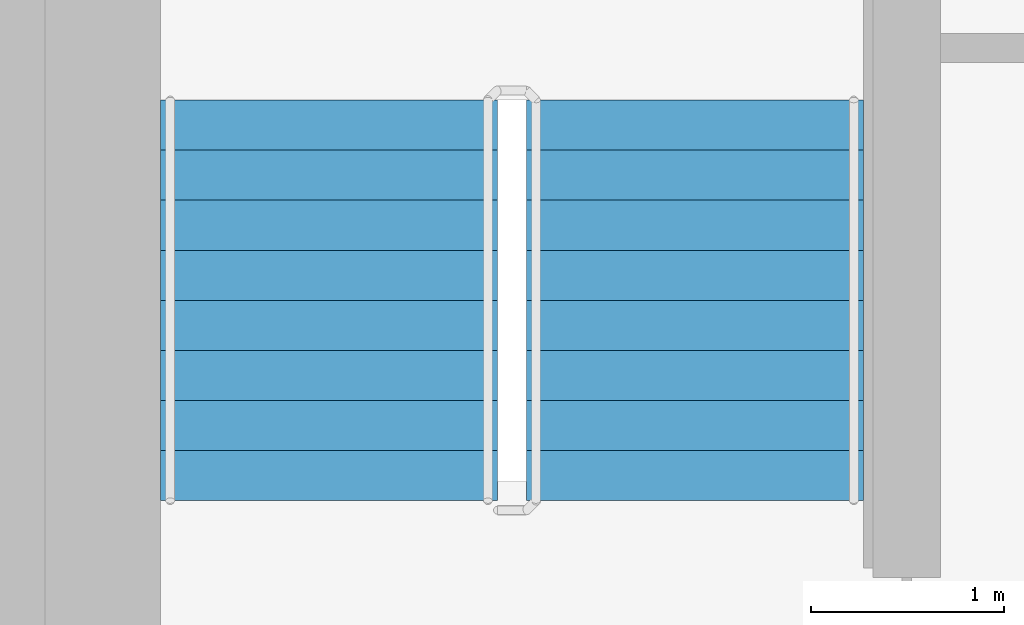
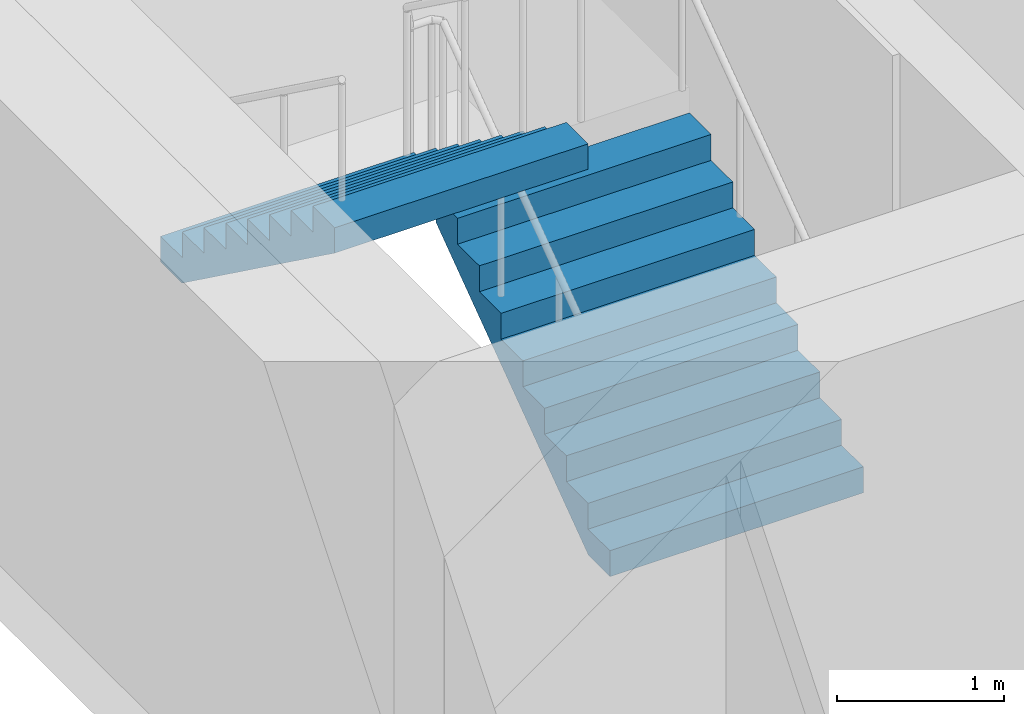
# One storey, part 15 of 18: 2 stair flights, 1 element without a shape of its own.
"""IFC4 building model written with IfcOpenShell, lengths in metres."""

from ifc_helpers import new_model, si_unit, direction, frame, origin, place, context, subcontext, project, spatial, faceted_brep, material, type_object, element, aggregate, save


model = new_model("IFC4")

# Units and contexts
model_context = context("Model", 3, precision=1e-05, world=origin(), true_north=direction((0.0, 1.0)))
body_context = subcontext(model_context, "Body", "Model", "MODEL_VIEW")
ifc_project = project(units=[si_unit("LENGTHUNIT", "METRE"), si_unit("AREAUNIT", "SQUARE_METRE"), si_unit("VOLUMEUNIT", "CUBIC_METRE"), si_unit("PLANEANGLEUNIT", "RADIAN"), si_unit("MASSUNIT", "GRAM", prefix="KILO")], contexts=[model_context])

# Site, building, storey
site_placement = place(None, origin())
site = spatial("IfcSite", under=ifc_project, at=site_placement, CompositionType="ELEMENT")
building_placement = place(site_placement, origin())
building = spatial("IfcBuilding", under=site, at=building_placement, Name="Ipe Terrace Towers", CompositionType="ELEMENT")
storey_placement = place(building_placement, frame((0.0, 0.0, 223.199951171875)))
storey = spatial("IfcBuildingStorey", under=building, at=storey_placement, Name="L62", CompositionType="ELEMENT", Elevation=223.199951171875)

# Stair, stair flights
ifc_material_1 = material(Name="Concrete C30/37", Category="concrete")
stair_type = type_object("IfcStairType", Name="Protected exit stair", PredefinedType="HALF_TURN_STAIR", material=ifc_material_1)
stair_placement = place(storey_placement, origin())
stair = element("IfcStair", 1, at=stair_placement, inside=storey, type_object=stair_type, Name="L62 Exit stair T2-C1", PredefinedType="HALF_TURN_STAIR")
ifc_material_2 = material(Name="Concrete C30/37", Category="concrete")
stair_flight_type = type_object("IfcStairFlightType", Name="Exit stair flight 1750", PredefinedType="STRAIGHT", material=ifc_material_2)
stair_flight_1_placement = place(storey_placement, frame((33.22509765625, 9.699951171875, 0.0), z_axis=(0.0, 0.0, 1.0), x_axis=(0.0, 1.0, 0.0)))
stair_flight_1 = element("IfcStairFlight", 2, at=stair_flight_1_placement, type_object=stair_flight_type, Name="T2-ST1 flight 1", NumberOfRisers=9, NumberOfTreads=8, PredefinedType="STRAIGHT", RiserHeight=0.188888889, TreadLength=0.26, context=body_context, shape_type="Brep", body=[
    faceted_brep([(0.255126953125, -0.875, 0.0), (2.080078125, -0.875, 1.325927734375), (2.080078125, -0.875, 1.51123046875), (1.820068359375, -0.875, 1.51123046875), (1.820068359375, -0.875, 1.322265625), (1.56005859375, -0.875, 1.322265625), (1.56005859375, -0.875, 1.13330078125), (1.300048828125, -0.875, 1.13330078125), (1.300048828125, -0.875, 0.9443359375), (1.0400390625, -0.875, 0.9443359375), (1.0400390625, -0.875, 0.755615234375), (0.780029296875, -0.875, 0.755615234375), (0.780029296875, -0.875, 0.566650390625), (0.52001953125, -0.875, 0.566650390625), (0.52001953125, -0.875, 0.377685546875), (0.260009765625, -0.875, 0.377685546875), (0.260009765625, -0.875, 0.18896484375), (0.0, -0.875, 0.18896484375), (0.0, -0.875, 0.0), (0.0, 0.875, 0.0), (0.0, 0.875, 0.18896484375), (0.260009765625, 0.875, 0.18896484375), (0.260009765625, 0.875, 0.377685546875), (0.52001953125, 0.875, 0.377685546875), (0.52001953125, 0.875, 0.566650390625), (0.780029296875, 0.875, 0.566650390625), (0.780029296875, 0.875, 0.755615234375), (1.0400390625, 0.875, 0.755615234375), (1.0400390625, 0.875, 0.9443359375), (1.300048828125, 0.875, 0.9443359375), (1.300048828125, 0.875, 1.13330078125), (1.56005859375, 0.875, 1.13330078125), (1.56005859375, 0.875, 1.322265625), (1.820068359375, 0.875, 1.322265625), (1.820068359375, 0.875, 1.51123046875), (2.080078125, 0.875, 1.51123046875), (2.080078125, 0.875, 1.325927734375), (0.255126953125, 0.875, 0.0), (0.0, -0.300048828125, 0.18896484375), (0.0, -0.1201171875, 0.18896484375), (0.0, -0.06005859375, 0.18896484375), (0.0, -0.030029296875, 0.18896484375), (0.0, -0.010009765625, 0.18896484375), (0.0, 0.0, 0.18896484375), (0.0, 0.010009765625, 0.18896484375), (0.0, 0.030029296875, 0.18896484375), (0.0, 0.06005859375, 0.18896484375), (0.0, 0.1201171875, 0.18896484375), (0.0, 0.300048828125, 0.18896484375), (0.0, 0.300048828125, 0.0), (0.0, 0.1201171875, 0.0), (0.0, 0.06005859375, 0.0), (0.0, 0.030029296875, 0.0), (0.0, 0.010009765625, 0.0), (0.0, 0.0, 0.0), (0.0, -0.010009765625, 0.0), (0.0, -0.030029296875, 0.0), (0.0, -0.06005859375, 0.0), (0.0, -0.1201171875, 0.0), (0.0, -0.300048828125, 0.0), (0.260009765625, -0.300048828125, 0.18896484375), (0.260009765625, -0.1201171875, 0.18896484375), (0.260009765625, -0.06005859375, 0.18896484375), (0.260009765625, -0.030029296875, 0.18896484375), (0.260009765625, -0.010009765625, 0.18896484375), (0.260009765625, 0.0, 0.18896484375), (0.260009765625, 0.010009765625, 0.18896484375), (0.260009765625, 0.030029296875, 0.18896484375), (0.260009765625, 0.06005859375, 0.18896484375), (0.260009765625, 0.1201171875, 0.18896484375), (0.260009765625, 0.300048828125, 0.18896484375), (0.260009765625, -0.300048828125, 0.377685546875), (0.260009765625, -0.1201171875, 0.377685546875), (0.260009765625, -0.06005859375, 0.377685546875), (0.260009765625, -0.030029296875, 0.377685546875), (0.260009765625, -0.010009765625, 0.377685546875), (0.260009765625, 0.0, 0.377685546875), (0.260009765625, 0.010009765625, 0.377685546875), (0.260009765625, 0.030029296875, 0.377685546875), (0.260009765625, 0.06005859375, 0.377685546875), (0.260009765625, 0.1201171875, 0.377685546875), (0.260009765625, 0.300048828125, 0.377685546875), (0.52001953125, -0.300048828125, 0.377685546875), (0.52001953125, -0.1201171875, 0.377685546875), (0.52001953125, -0.06005859375, 0.377685546875), (0.52001953125, -0.030029296875, 0.377685546875), (0.52001953125, -0.010009765625, 0.377685546875), (0.52001953125, 0.0, 0.377685546875), (0.52001953125, 0.010009765625, 0.377685546875), (0.52001953125, 0.030029296875, 0.377685546875), (0.52001953125, 0.06005859375, 0.377685546875), (0.52001953125, 0.1201171875, 0.377685546875), (0.52001953125, 0.300048828125, 0.377685546875), (0.52001953125, -0.300048828125, 0.566650390625), (0.52001953125, -0.1201171875, 0.566650390625), (0.52001953125, -0.06005859375, 0.566650390625), (0.52001953125, -0.030029296875, 0.566650390625), (0.52001953125, -0.010009765625, 0.566650390625), (0.52001953125, 0.0, 0.566650390625), (0.52001953125, 0.010009765625, 0.566650390625), (0.52001953125, 0.030029296875, 0.566650390625), (0.52001953125, 0.06005859375, 0.566650390625), (0.52001953125, 0.1201171875, 0.566650390625), (0.52001953125, 0.300048828125, 0.566650390625), (0.780029296875, -0.300048828125, 0.566650390625), (0.780029296875, -0.1201171875, 0.566650390625), (0.780029296875, -0.06005859375, 0.566650390625), (0.780029296875, -0.030029296875, 0.566650390625), (0.780029296875, -0.010009765625, 0.566650390625), (0.780029296875, 0.0, 0.566650390625), (0.780029296875, 0.010009765625, 0.566650390625), (0.780029296875, 0.030029296875, 0.566650390625), (0.780029296875, 0.06005859375, 0.566650390625), (0.780029296875, 0.1201171875, 0.566650390625), (0.780029296875, 0.300048828125, 0.566650390625), (0.780029296875, -0.300048828125, 0.755615234375), (0.780029296875, -0.1201171875, 0.755615234375), (0.780029296875, -0.06005859375, 0.755615234375), (0.780029296875, -0.030029296875, 0.755615234375), (0.780029296875, -0.010009765625, 0.755615234375), (0.780029296875, 0.0, 0.755615234375), (0.780029296875, 0.010009765625, 0.755615234375), (0.780029296875, 0.030029296875, 0.755615234375), (0.780029296875, 0.06005859375, 0.755615234375), (0.780029296875, 0.1201171875, 0.755615234375), (0.780029296875, 0.300048828125, 0.755615234375), (1.0400390625, -0.300048828125, 0.755615234375), (1.0400390625, -0.1201171875, 0.755615234375), (1.0400390625, -0.06005859375, 0.755615234375), (1.0400390625, -0.030029296875, 0.755615234375), (1.0400390625, -0.010009765625, 0.755615234375), (1.0400390625, 0.0, 0.755615234375), (1.0400390625, 0.010009765625, 0.755615234375), (1.0400390625, 0.030029296875, 0.755615234375), (1.0400390625, 0.06005859375, 0.755615234375), (1.0400390625, 0.1201171875, 0.755615234375), (1.0400390625, 0.300048828125, 0.755615234375), (1.0400390625, -0.300048828125, 0.9443359375), (1.0400390625, -0.1201171875, 0.9443359375), (1.0400390625, -0.06005859375, 0.9443359375), (1.0400390625, -0.030029296875, 0.9443359375), (1.0400390625, -0.010009765625, 0.9443359375), (1.0400390625, 0.0, 0.9443359375), (1.0400390625, 0.010009765625, 0.9443359375), (1.0400390625, 0.030029296875, 0.9443359375), (1.0400390625, 0.06005859375, 0.9443359375), (1.0400390625, 0.1201171875, 0.9443359375), (1.0400390625, 0.300048828125, 0.9443359375), (1.300048828125, -0.300048828125, 0.9443359375), (1.300048828125, -0.1201171875, 0.9443359375), (1.300048828125, -0.06005859375, 0.9443359375), (1.300048828125, -0.030029296875, 0.9443359375), (1.300048828125, -0.010009765625, 0.9443359375), (1.300048828125, 0.0, 0.9443359375), (1.300048828125, 0.010009765625, 0.9443359375), (1.300048828125, 0.030029296875, 0.9443359375), (1.300048828125, 0.06005859375, 0.9443359375), (1.300048828125, 0.1201171875, 0.9443359375), (1.300048828125, 0.300048828125, 0.9443359375), (1.300048828125, -0.300048828125, 1.13330078125), (1.300048828125, -0.1201171875, 1.13330078125), (1.300048828125, -0.06005859375, 1.13330078125), (1.300048828125, -0.030029296875, 1.13330078125), (1.300048828125, -0.010009765625, 1.13330078125), (1.300048828125, 0.0, 1.13330078125), (1.300048828125, 0.010009765625, 1.13330078125), (1.300048828125, 0.030029296875, 1.13330078125), (1.300048828125, 0.06005859375, 1.13330078125), (1.300048828125, 0.1201171875, 1.13330078125), (1.300048828125, 0.300048828125, 1.13330078125), (1.56005859375, -0.300048828125, 1.13330078125), (1.56005859375, -0.1201171875, 1.13330078125), (1.56005859375, -0.06005859375, 1.13330078125), (1.56005859375, -0.030029296875, 1.13330078125), (1.56005859375, -0.010009765625, 1.13330078125), (1.56005859375, 0.0, 1.13330078125), (1.56005859375, 0.010009765625, 1.13330078125), (1.56005859375, 0.030029296875, 1.13330078125), (1.56005859375, 0.06005859375, 1.13330078125), (1.56005859375, 0.1201171875, 1.13330078125), (1.56005859375, 0.300048828125, 1.13330078125), (1.56005859375, -0.300048828125, 1.322265625), (1.56005859375, -0.1201171875, 1.322265625), (1.56005859375, -0.06005859375, 1.322265625), (1.56005859375, -0.030029296875, 1.322265625), (1.56005859375, -0.010009765625, 1.322265625), (1.56005859375, 0.0, 1.322265625), (1.56005859375, 0.010009765625, 1.322265625), (1.56005859375, 0.030029296875, 1.322265625), (1.56005859375, 0.06005859375, 1.322265625), (1.56005859375, 0.1201171875, 1.322265625), (1.56005859375, 0.300048828125, 1.322265625), (1.820068359375, -0.300048828125, 1.322265625), (1.820068359375, -0.1201171875, 1.322265625), (1.820068359375, -0.06005859375, 1.322265625), (1.820068359375, -0.030029296875, 1.322265625), (1.820068359375, -0.010009765625, 1.322265625), (1.820068359375, 0.0, 1.322265625), (1.820068359375, 0.010009765625, 1.322265625), (1.820068359375, 0.030029296875, 1.322265625), (1.820068359375, 0.06005859375, 1.322265625), (1.820068359375, 0.1201171875, 1.322265625), (1.820068359375, 0.300048828125, 1.322265625), (1.820068359375, -0.300048828125, 1.51123046875), (1.820068359375, -0.1201171875, 1.51123046875), (1.820068359375, -0.06005859375, 1.51123046875), (1.820068359375, -0.030029296875, 1.51123046875), (1.820068359375, -0.010009765625, 1.51123046875), (1.820068359375, 0.0, 1.51123046875), (1.820068359375, 0.010009765625, 1.51123046875), (1.820068359375, 0.030029296875, 1.51123046875), (1.820068359375, 0.06005859375, 1.51123046875), (1.820068359375, 0.1201171875, 1.51123046875), (1.820068359375, 0.300048828125, 1.51123046875), (2.080078125, -0.300048828125, 1.51123046875), (2.080078125, -0.1201171875, 1.51123046875), (2.080078125, -0.06005859375, 1.51123046875), (2.080078125, -0.030029296875, 1.51123046875), (2.080078125, -0.010009765625, 1.51123046875), (2.080078125, 0.0, 1.51123046875), (2.080078125, 0.010009765625, 1.51123046875), (2.080078125, 0.030029296875, 1.51123046875), (2.080078125, 0.06005859375, 1.51123046875), (2.080078125, 0.1201171875, 1.51123046875), (2.080078125, 0.300048828125, 1.51123046875), (2.080078125, -0.300048828125, 1.325927734375), (2.080078125, -0.1201171875, 1.325927734375), (2.080078125, -0.06005859375, 1.325927734375), (2.080078125, -0.030029296875, 1.325927734375), (2.080078125, -0.010009765625, 1.325927734375), (2.080078125, 0.0, 1.325927734375), (2.080078125, 0.010009765625, 1.325927734375), (2.080078125, 0.030029296875, 1.325927734375), (2.080078125, 0.06005859375, 1.325927734375), (2.080078125, 0.1201171875, 1.325927734375), (2.080078125, 0.300048828125, 1.325927734375), (0.255126953125, -0.300048828125, 0.0), (0.255126953125, -0.1201171875, 0.0), (0.255126953125, -0.06005859375, 0.0), (0.255126953125, -0.030029296875, 0.0), (0.255126953125, -0.010009765625, 0.0), (0.255126953125, 0.0, 0.0), (0.255126953125, 0.010009765625, 0.0), (0.255126953125, 0.030029296875, 0.0), (0.255126953125, 0.06005859375, 0.0), (0.255126953125, 0.1201171875, 0.0), (0.255126953125, 0.300048828125, 0.0)], [[[0, 1, 2, 3, 4, 5, 6, 7, 8, 9, 10, 11, 12, 13, 14, 15, 16, 17, 18]], [[19, 20, 21, 22, 23, 24, 25, 26, 27, 28, 29, 30, 31, 32, 33, 34, 35, 36, 37]], [[17, 38, 39, 40, 41, 42, 43, 44, 45, 46, 47, 48, 20, 19, 49, 50, 51, 52, 53, 54, 55, 56, 57, 58, 59, 18]], [[16, 60, 61, 62, 63, 64, 65, 66, 67, 68, 69, 70, 21, 20, 48, 47, 46, 45, 44, 43, 42, 41, 40, 39, 38, 17]], [[15, 71, 72, 73, 74, 75, 76, 77, 78, 79, 80, 81, 22, 21, 70, 69, 68, 67, 66, 65, 64, 63, 62, 61, 60, 16]], [[14, 82, 83, 84, 85, 86, 87, 88, 89, 90, 91, 92, 23, 22, 81, 80, 79, 78, 77, 76, 75, 74, 73, 72, 71, 15]], [[13, 93, 94, 95, 96, 97, 98, 99, 100, 101, 102, 103, 24, 23, 92, 91, 90, 89, 88, 87, 86, 85, 84, 83, 82, 14]], [[12, 104, 105, 106, 107, 108, 109, 110, 111, 112, 113, 114, 25, 24, 103, 102, 101, 100, 99, 98, 97, 96, 95, 94, 93, 13]], [[11, 115, 116, 117, 118, 119, 120, 121, 122, 123, 124, 125, 26, 25, 114, 113, 112, 111, 110, 109, 108, 107, 106, 105, 104, 12]], [[10, 126, 127, 128, 129, 130, 131, 132, 133, 134, 135, 136, 27, 26, 125, 124, 123, 122, 121, 120, 119, 118, 117, 116, 115, 11]], [[9, 137, 138, 139, 140, 141, 142, 143, 144, 145, 146, 147, 28, 27, 136, 135, 134, 133, 132, 131, 130, 129, 128, 127, 126, 10]], [[8, 148, 149, 150, 151, 152, 153, 154, 155, 156, 157, 158, 29, 28, 147, 146, 145, 144, 143, 142, 141, 140, 139, 138, 137, 9]], [[7, 159, 160, 161, 162, 163, 164, 165, 166, 167, 168, 169, 30, 29, 158, 157, 156, 155, 154, 153, 152, 151, 150, 149, 148, 8]], [[6, 170, 171, 172, 173, 174, 175, 176, 177, 178, 179, 180, 31, 30, 169, 168, 167, 166, 165, 164, 163, 162, 161, 160, 159, 7]], [[5, 181, 182, 183, 184, 185, 186, 187, 188, 189, 190, 191, 32, 31, 180, 179, 178, 177, 176, 175, 174, 173, 172, 171, 170, 6]], [[4, 192, 193, 194, 195, 196, 197, 198, 199, 200, 201, 202, 33, 32, 191, 190, 189, 188, 187, 186, 185, 184, 183, 182, 181, 5]], [[3, 203, 204, 205, 206, 207, 208, 209, 210, 211, 212, 213, 34, 33, 202, 201, 200, 199, 198, 197, 196, 195, 194, 193, 192, 4]], [[2, 214, 215, 216, 217, 218, 219, 220, 221, 222, 223, 224, 35, 34, 213, 212, 211, 210, 209, 208, 207, 206, 205, 204, 203, 3]], [[1, 225, 226, 227, 228, 229, 230, 231, 232, 233, 234, 235, 36, 35, 224, 223, 222, 221, 220, 219, 218, 217, 216, 215, 214, 2]], [[0, 236, 237, 238, 239, 240, 241, 242, 243, 244, 245, 246, 37, 36, 235, 234, 233, 232, 231, 230, 229, 228, 227, 226, 225, 1]], [[18, 59, 58, 57, 56, 55, 54, 53, 52, 51, 50, 49, 19, 37, 246, 245, 244, 243, 242, 241, 240, 239, 238, 237, 236, 0]]]),
])
stair_flight_2_placement = place(storey_placement, frame((31.324951171875, 11.780029296875, 1.699951171875), z_axis=(0.0, 0.0, 1.0), x_axis=(0.0, -1.0, 0.0)))
stair_flight_2 = element("IfcStairFlight", 3, at=stair_flight_2_placement, type_object=stair_flight_type, Name="T2-ST1 flight 2", NumberOfRisers=9, NumberOfTreads=8, PredefinedType="STRAIGHT", RiserHeight=0.188888889, TreadLength=0.26, context=body_context, shape_type="Brep", body=[
    faceted_brep([(0.255126953125, -0.875, 0.0), (2.080078125, -0.875, 1.325927734375), (2.080078125, -0.875, 1.51123046875), (1.820068359375, -0.875, 1.51123046875), (1.820068359375, -0.875, 1.322265625), (1.56005859375, -0.875, 1.322265625), (1.56005859375, -0.875, 1.13330078125), (1.300048828125, -0.875, 1.13330078125), (1.300048828125, -0.875, 0.9443359375), (1.0400390625, -0.875, 0.9443359375), (1.0400390625, -0.875, 0.755615234375), (0.780029296875, -0.875, 0.755615234375), (0.780029296875, -0.875, 0.566650390625), (0.52001953125, -0.875, 0.566650390625), (0.52001953125, -0.875, 0.377685546875), (0.260009765625, -0.875, 0.377685546875), (0.260009765625, -0.875, 0.18896484375), (0.0, -0.875, 0.18896484375), (0.0, -0.875, 0.0), (0.0, 0.875, 0.0), (0.0, 0.875, 0.18896484375), (0.260009765625, 0.875, 0.18896484375), (0.260009765625, 0.875, 0.377685546875), (0.52001953125, 0.875, 0.377685546875), (0.52001953125, 0.875, 0.566650390625), (0.780029296875, 0.875, 0.566650390625), (0.780029296875, 0.875, 0.755615234375), (1.0400390625, 0.875, 0.755615234375), (1.0400390625, 0.875, 0.9443359375), (1.300048828125, 0.875, 0.9443359375), (1.300048828125, 0.875, 1.13330078125), (1.56005859375, 0.875, 1.13330078125), (1.56005859375, 0.875, 1.322265625), (1.820068359375, 0.875, 1.322265625), (1.820068359375, 0.875, 1.51123046875), (2.080078125, 0.875, 1.51123046875), (2.080078125, 0.875, 1.325927734375), (0.255126953125, 0.875, 0.0), (0.0, -0.300048828125, 0.18896484375), (0.0, -0.1201171875, 0.18896484375), (0.0, -0.06005859375, 0.18896484375), (0.0, -0.030029296875, 0.18896484375), (0.0, -0.010009765625, 0.18896484375), (0.0, 0.0, 0.18896484375), (0.0, 0.010009765625, 0.18896484375), (0.0, 0.030029296875, 0.18896484375), (0.0, 0.06005859375, 0.18896484375), (0.0, 0.1201171875, 0.18896484375), (0.0, 0.300048828125, 0.18896484375), (0.0, 0.300048828125, 0.0), (0.0, 0.1201171875, 0.0), (0.0, 0.06005859375, 0.0), (0.0, 0.030029296875, 0.0), (0.0, 0.010009765625, 0.0), (0.0, 0.0, 0.0), (0.0, -0.010009765625, 0.0), (0.0, -0.030029296875, 0.0), (0.0, -0.06005859375, 0.0), (0.0, -0.1201171875, 0.0), (0.0, -0.300048828125, 0.0), (0.260009765625, -0.300048828125, 0.18896484375), (0.260009765625, -0.1201171875, 0.18896484375), (0.260009765625, -0.06005859375, 0.18896484375), (0.260009765625, -0.030029296875, 0.18896484375), (0.260009765625, -0.010009765625, 0.18896484375), (0.260009765625, 0.0, 0.18896484375), (0.260009765625, 0.010009765625, 0.18896484375), (0.260009765625, 0.030029296875, 0.18896484375), (0.260009765625, 0.06005859375, 0.18896484375), (0.260009765625, 0.1201171875, 0.18896484375), (0.260009765625, 0.300048828125, 0.18896484375), (0.260009765625, -0.300048828125, 0.377685546875), (0.260009765625, -0.1201171875, 0.377685546875), (0.260009765625, -0.06005859375, 0.377685546875), (0.260009765625, -0.030029296875, 0.377685546875), (0.260009765625, -0.010009765625, 0.377685546875), (0.260009765625, 0.0, 0.377685546875), (0.260009765625, 0.010009765625, 0.377685546875), (0.260009765625, 0.030029296875, 0.377685546875), (0.260009765625, 0.06005859375, 0.377685546875), (0.260009765625, 0.1201171875, 0.377685546875), (0.260009765625, 0.300048828125, 0.377685546875), (0.52001953125, -0.300048828125, 0.377685546875), (0.52001953125, -0.1201171875, 0.377685546875), (0.52001953125, -0.06005859375, 0.377685546875), (0.52001953125, -0.030029296875, 0.377685546875), (0.52001953125, -0.010009765625, 0.377685546875), (0.52001953125, 0.0, 0.377685546875), (0.52001953125, 0.010009765625, 0.377685546875), (0.52001953125, 0.030029296875, 0.377685546875), (0.52001953125, 0.06005859375, 0.377685546875), (0.52001953125, 0.1201171875, 0.377685546875), (0.52001953125, 0.300048828125, 0.377685546875), (0.52001953125, -0.300048828125, 0.566650390625), (0.52001953125, -0.1201171875, 0.566650390625), (0.52001953125, -0.06005859375, 0.566650390625), (0.52001953125, -0.030029296875, 0.566650390625), (0.52001953125, -0.010009765625, 0.566650390625), (0.52001953125, 0.0, 0.566650390625), (0.52001953125, 0.010009765625, 0.566650390625), (0.52001953125, 0.030029296875, 0.566650390625), (0.52001953125, 0.06005859375, 0.566650390625), (0.52001953125, 0.1201171875, 0.566650390625), (0.52001953125, 0.300048828125, 0.566650390625), (0.780029296875, -0.300048828125, 0.566650390625), (0.780029296875, -0.1201171875, 0.566650390625), (0.780029296875, -0.06005859375, 0.566650390625), (0.780029296875, -0.030029296875, 0.566650390625), (0.780029296875, -0.010009765625, 0.566650390625), (0.780029296875, 0.0, 0.566650390625), (0.780029296875, 0.010009765625, 0.566650390625), (0.780029296875, 0.030029296875, 0.566650390625), (0.780029296875, 0.06005859375, 0.566650390625), (0.780029296875, 0.1201171875, 0.566650390625), (0.780029296875, 0.300048828125, 0.566650390625), (0.780029296875, -0.300048828125, 0.755615234375), (0.780029296875, -0.1201171875, 0.755615234375), (0.780029296875, -0.06005859375, 0.755615234375), (0.780029296875, -0.030029296875, 0.755615234375), (0.780029296875, -0.010009765625, 0.755615234375), (0.780029296875, 0.0, 0.755615234375), (0.780029296875, 0.010009765625, 0.755615234375), (0.780029296875, 0.030029296875, 0.755615234375), (0.780029296875, 0.06005859375, 0.755615234375), (0.780029296875, 0.1201171875, 0.755615234375), (0.780029296875, 0.300048828125, 0.755615234375), (1.0400390625, -0.300048828125, 0.755615234375), (1.0400390625, -0.1201171875, 0.755615234375), (1.0400390625, -0.06005859375, 0.755615234375), (1.0400390625, -0.030029296875, 0.755615234375), (1.0400390625, -0.010009765625, 0.755615234375), (1.0400390625, 0.0, 0.755615234375), (1.0400390625, 0.010009765625, 0.755615234375), (1.0400390625, 0.030029296875, 0.755615234375), (1.0400390625, 0.06005859375, 0.755615234375), (1.0400390625, 0.1201171875, 0.755615234375), (1.0400390625, 0.300048828125, 0.755615234375), (1.0400390625, -0.300048828125, 0.9443359375), (1.0400390625, -0.1201171875, 0.9443359375), (1.0400390625, -0.06005859375, 0.9443359375), (1.0400390625, -0.030029296875, 0.9443359375), (1.0400390625, -0.010009765625, 0.9443359375), (1.0400390625, 0.0, 0.9443359375), (1.0400390625, 0.010009765625, 0.9443359375), (1.0400390625, 0.030029296875, 0.9443359375), (1.0400390625, 0.06005859375, 0.9443359375), (1.0400390625, 0.1201171875, 0.9443359375), (1.0400390625, 0.300048828125, 0.9443359375), (1.300048828125, -0.300048828125, 0.9443359375), (1.300048828125, -0.1201171875, 0.9443359375), (1.300048828125, -0.06005859375, 0.9443359375), (1.300048828125, -0.030029296875, 0.9443359375), (1.300048828125, -0.010009765625, 0.9443359375), (1.300048828125, 0.0, 0.9443359375), (1.300048828125, 0.010009765625, 0.9443359375), (1.300048828125, 0.030029296875, 0.9443359375), (1.300048828125, 0.06005859375, 0.9443359375), (1.300048828125, 0.1201171875, 0.9443359375), (1.300048828125, 0.300048828125, 0.9443359375), (1.300048828125, -0.300048828125, 1.13330078125), (1.300048828125, -0.1201171875, 1.13330078125), (1.300048828125, -0.06005859375, 1.13330078125), (1.300048828125, -0.030029296875, 1.13330078125), (1.300048828125, -0.010009765625, 1.13330078125), (1.300048828125, 0.0, 1.13330078125), (1.300048828125, 0.010009765625, 1.13330078125), (1.300048828125, 0.030029296875, 1.13330078125), (1.300048828125, 0.06005859375, 1.13330078125), (1.300048828125, 0.1201171875, 1.13330078125), (1.300048828125, 0.300048828125, 1.13330078125), (1.56005859375, -0.300048828125, 1.13330078125), (1.56005859375, -0.1201171875, 1.13330078125), (1.56005859375, -0.06005859375, 1.13330078125), (1.56005859375, -0.030029296875, 1.13330078125), (1.56005859375, -0.010009765625, 1.13330078125), (1.56005859375, 0.0, 1.13330078125), (1.56005859375, 0.010009765625, 1.13330078125), (1.56005859375, 0.030029296875, 1.13330078125), (1.56005859375, 0.06005859375, 1.13330078125), (1.56005859375, 0.1201171875, 1.13330078125), (1.56005859375, 0.300048828125, 1.13330078125), (1.56005859375, -0.300048828125, 1.322265625), (1.56005859375, -0.1201171875, 1.322265625), (1.56005859375, -0.06005859375, 1.322265625), (1.56005859375, -0.030029296875, 1.322265625), (1.56005859375, -0.010009765625, 1.322265625), (1.56005859375, 0.0, 1.322265625), (1.56005859375, 0.010009765625, 1.322265625), (1.56005859375, 0.030029296875, 1.322265625), (1.56005859375, 0.06005859375, 1.322265625), (1.56005859375, 0.1201171875, 1.322265625), (1.56005859375, 0.300048828125, 1.322265625), (1.820068359375, -0.300048828125, 1.322265625), (1.820068359375, -0.1201171875, 1.322265625), (1.820068359375, -0.06005859375, 1.322265625), (1.820068359375, -0.030029296875, 1.322265625), (1.820068359375, -0.010009765625, 1.322265625), (1.820068359375, 0.0, 1.322265625), (1.820068359375, 0.010009765625, 1.322265625), (1.820068359375, 0.030029296875, 1.322265625), (1.820068359375, 0.06005859375, 1.322265625), (1.820068359375, 0.1201171875, 1.322265625), (1.820068359375, 0.300048828125, 1.322265625), (1.820068359375, -0.300048828125, 1.51123046875), (1.820068359375, -0.1201171875, 1.51123046875), (1.820068359375, -0.06005859375, 1.51123046875), (1.820068359375, -0.030029296875, 1.51123046875), (1.820068359375, -0.010009765625, 1.51123046875), (1.820068359375, 0.0, 1.51123046875), (1.820068359375, 0.010009765625, 1.51123046875), (1.820068359375, 0.030029296875, 1.51123046875), (1.820068359375, 0.06005859375, 1.51123046875), (1.820068359375, 0.1201171875, 1.51123046875), (1.820068359375, 0.300048828125, 1.51123046875), (2.080078125, -0.300048828125, 1.51123046875), (2.080078125, -0.1201171875, 1.51123046875), (2.080078125, -0.06005859375, 1.51123046875), (2.080078125, -0.030029296875, 1.51123046875), (2.080078125, -0.010009765625, 1.51123046875), (2.080078125, 0.0, 1.51123046875), (2.080078125, 0.010009765625, 1.51123046875), (2.080078125, 0.030029296875, 1.51123046875), (2.080078125, 0.06005859375, 1.51123046875), (2.080078125, 0.1201171875, 1.51123046875), (2.080078125, 0.300048828125, 1.51123046875), (2.080078125, -0.300048828125, 1.325927734375), (2.080078125, -0.1201171875, 1.325927734375), (2.080078125, -0.06005859375, 1.325927734375), (2.080078125, -0.030029296875, 1.325927734375), (2.080078125, -0.010009765625, 1.325927734375), (2.080078125, 0.0, 1.325927734375), (2.080078125, 0.010009765625, 1.325927734375), (2.080078125, 0.030029296875, 1.325927734375), (2.080078125, 0.06005859375, 1.325927734375), (2.080078125, 0.1201171875, 1.325927734375), (2.080078125, 0.300048828125, 1.325927734375), (0.255126953125, -0.300048828125, 0.0), (0.255126953125, -0.1201171875, 0.0), (0.255126953125, -0.06005859375, 0.0), (0.255126953125, -0.030029296875, 0.0), (0.255126953125, -0.010009765625, 0.0), (0.255126953125, 0.0, 0.0), (0.255126953125, 0.010009765625, 0.0), (0.255126953125, 0.030029296875, 0.0), (0.255126953125, 0.06005859375, 0.0), (0.255126953125, 0.1201171875, 0.0), (0.255126953125, 0.300048828125, 0.0)], [[[0, 1, 2, 3, 4, 5, 6, 7, 8, 9, 10, 11, 12, 13, 14, 15, 16, 17, 18]], [[19, 20, 21, 22, 23, 24, 25, 26, 27, 28, 29, 30, 31, 32, 33, 34, 35, 36, 37]], [[17, 38, 39, 40, 41, 42, 43, 44, 45, 46, 47, 48, 20, 19, 49, 50, 51, 52, 53, 54, 55, 56, 57, 58, 59, 18]], [[16, 60, 61, 62, 63, 64, 65, 66, 67, 68, 69, 70, 21, 20, 48, 47, 46, 45, 44, 43, 42, 41, 40, 39, 38, 17]], [[15, 71, 72, 73, 74, 75, 76, 77, 78, 79, 80, 81, 22, 21, 70, 69, 68, 67, 66, 65, 64, 63, 62, 61, 60, 16]], [[14, 82, 83, 84, 85, 86, 87, 88, 89, 90, 91, 92, 23, 22, 81, 80, 79, 78, 77, 76, 75, 74, 73, 72, 71, 15]], [[13, 93, 94, 95, 96, 97, 98, 99, 100, 101, 102, 103, 24, 23, 92, 91, 90, 89, 88, 87, 86, 85, 84, 83, 82, 14]], [[12, 104, 105, 106, 107, 108, 109, 110, 111, 112, 113, 114, 25, 24, 103, 102, 101, 100, 99, 98, 97, 96, 95, 94, 93, 13]], [[11, 115, 116, 117, 118, 119, 120, 121, 122, 123, 124, 125, 26, 25, 114, 113, 112, 111, 110, 109, 108, 107, 106, 105, 104, 12]], [[10, 126, 127, 128, 129, 130, 131, 132, 133, 134, 135, 136, 27, 26, 125, 124, 123, 122, 121, 120, 119, 118, 117, 116, 115, 11]], [[9, 137, 138, 139, 140, 141, 142, 143, 144, 145, 146, 147, 28, 27, 136, 135, 134, 133, 132, 131, 130, 129, 128, 127, 126, 10]], [[8, 148, 149, 150, 151, 152, 153, 154, 155, 156, 157, 158, 29, 28, 147, 146, 145, 144, 143, 142, 141, 140, 139, 138, 137, 9]], [[7, 159, 160, 161, 162, 163, 164, 165, 166, 167, 168, 169, 30, 29, 158, 157, 156, 155, 154, 153, 152, 151, 150, 149, 148, 8]], [[6, 170, 171, 172, 173, 174, 175, 176, 177, 178, 179, 180, 31, 30, 169, 168, 167, 166, 165, 164, 163, 162, 161, 160, 159, 7]], [[5, 181, 182, 183, 184, 185, 186, 187, 188, 189, 190, 191, 32, 31, 180, 179, 178, 177, 176, 175, 174, 173, 172, 171, 170, 6]], [[4, 192, 193, 194, 195, 196, 197, 198, 199, 200, 201, 202, 33, 32, 191, 190, 189, 188, 187, 186, 185, 184, 183, 182, 181, 5]], [[3, 203, 204, 205, 206, 207, 208, 209, 210, 211, 212, 213, 34, 33, 202, 201, 200, 199, 198, 197, 196, 195, 194, 193, 192, 4]], [[2, 214, 215, 216, 217, 218, 219, 220, 221, 222, 223, 224, 35, 34, 213, 212, 211, 210, 209, 208, 207, 206, 205, 204, 203, 3]], [[1, 225, 226, 227, 228, 229, 230, 231, 232, 233, 234, 235, 36, 35, 224, 223, 222, 221, 220, 219, 218, 217, 216, 215, 214, 2]], [[0, 236, 237, 238, 239, 240, 241, 242, 243, 244, 245, 246, 37, 36, 235, 234, 233, 232, 231, 230, 229, 228, 227, 226, 225, 1]], [[18, 59, 58, 57, 56, 55, 54, 53, 52, 51, 50, 49, 19, 37, 246, 245, 244, 243, 242, 241, 240, 239, 238, 237, 236, 0]]]),
])
aggregate(stair, [stair_flight_1, stair_flight_2])

save(model, "model.ifc")
